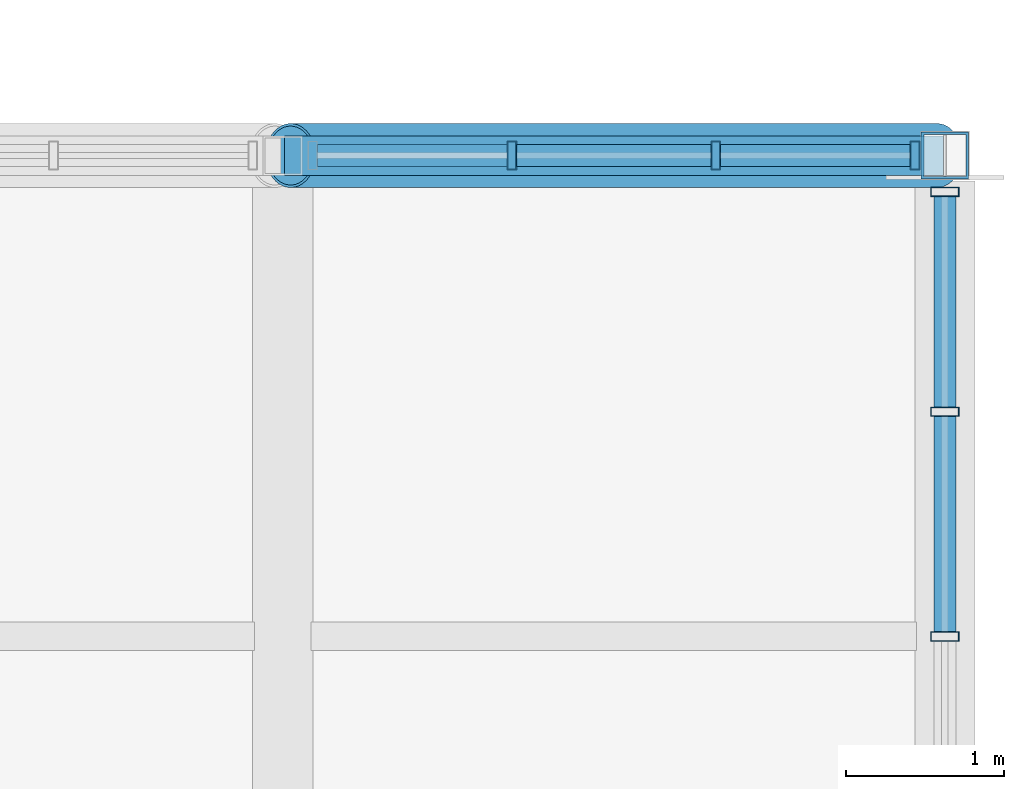
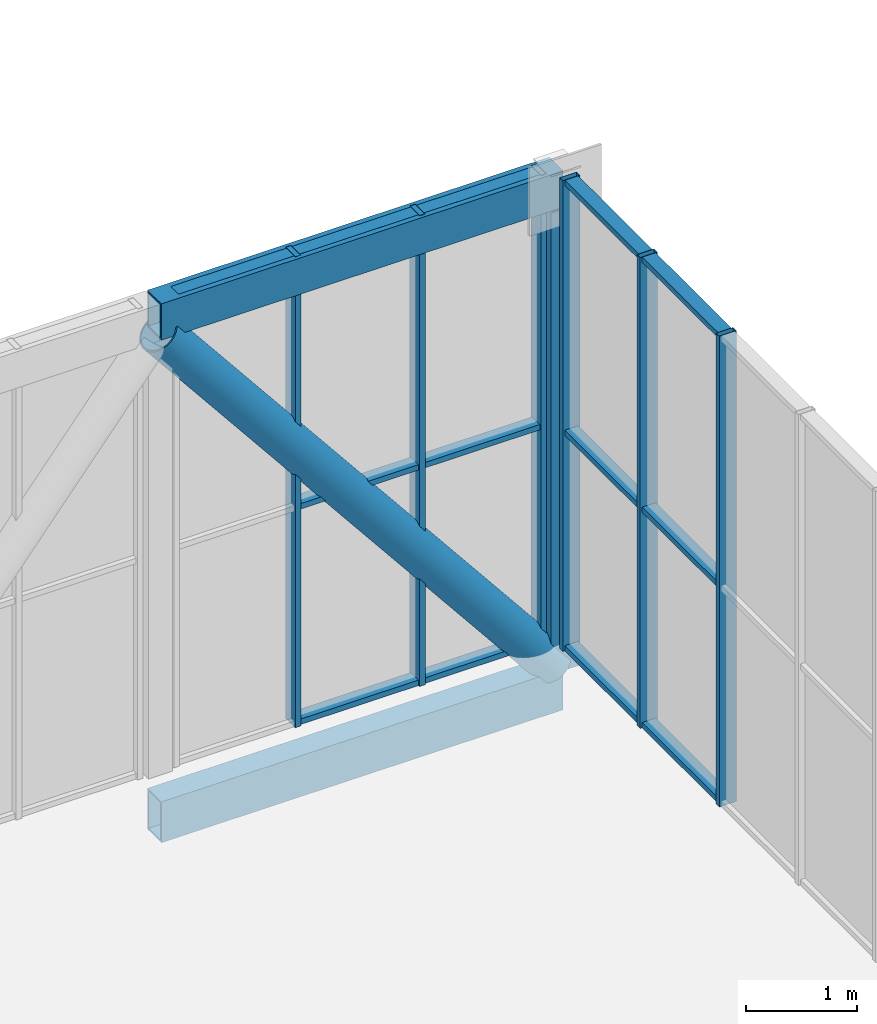
# One storey, part 42 of 58: 23 members, 2 elements without a shape of their own.
"""IFC4 building model written with IfcOpenShell, lengths in metres."""

from ifc_helpers import new_model, si_unit, direction, frame, origin, origin_2d, place, context, subcontext, project, spatial, hollow_rectangle, hollow_circle, extrude, material, material_profile, profile_set, type_object, element, aggregate, save


model = new_model("IFC4")

# Units and contexts
model_context = context("Model", 3, precision=1e-05, world=origin(), true_north=direction((0.0, 1.0)))
body_context = subcontext(model_context, "Body", "Model", "MODEL_VIEW")
ifc_project = project(units=[si_unit("LENGTHUNIT", "METRE"), si_unit("AREAUNIT", "SQUARE_METRE"), si_unit("VOLUMEUNIT", "CUBIC_METRE"), si_unit("PLANEANGLEUNIT", "RADIAN"), si_unit("MASSUNIT", "GRAM", prefix="KILO")], contexts=[model_context])

# Site, building, storey
site_placement = place(None, origin())
site = spatial("IfcSite", under=ifc_project, at=site_placement, CompositionType="ELEMENT")
building_placement = place(site_placement, origin())
building = spatial("IfcBuilding", under=site, at=building_placement, Name="Khurvash Pelagic Aquarium", CompositionType="ELEMENT")
storey_placement = place(building_placement, frame((0.0, 0.0, 24.60009765625)))
storey = spatial("IfcBuildingStorey", under=building, at=storey_placement, Name="L05", CompositionType="ELEMENT", Elevation=24.60009765625)

# Curtain wall, members
ifc_material_1 = material(Name="Anodised aluminium and low-E laminated glass", Category="aluminium")
curtain_wall_type_1 = type_object("IfcCurtainWallType", Name="CW-01", PredefinedType="USERDEFINED", material=ifc_material_1)
curtain_wall_1_placement = place(storey_placement, origin())
curtain_wall_1 = element("IfcCurtainWall", 1, at=curtain_wall_1_placement, inside=storey, type_object=curtain_wall_type_1, Name="L05 North Sky-Bar Unitised Curtain Wall CW-01 P26", ObjectType="UNITISED CURTAIN WALL", PredefinedType="USERDEFINED")
ifc_material_2 = material(Name="Extruded aluminium AW-6063-T6", Category="aluminium")
ifc_material_profile_1 = material_profile(ifc_material_2, hollow_rectangle(XDim=0.06005859375, YDim=0.179931640625, WallThickness=0.00390625, at=origin_2d()), Name="CWM60X180X4")
ifc_profile_set_1 = profile_set([ifc_material_profile_1], Name="Extruded aluminium AW-6063-T6")
member_type_1 = type_object("IfcMemberType", Name="CM-01", PredefinedType="MULLION", material=ifc_profile_set_1)
member_1_placement = place(storey_placement, frame((119.05322265625, 29.75, 0.0), z_axis=(0.0, 0.0, 1.0), x_axis=(1.0, 0.0, 0.0)))
member_1 = element("IfcMember", 2, at=member_1_placement, type_object=member_type_1, Name="CW-01 mullion 2", PredefinedType="MULLION", context=body_context, shape_type="SweptSolid", body=[
    extrude(hollow_rectangle(XDim=0.06005859375, YDim=0.179931640625, WallThickness=0.00390625, at=origin_2d()), origin(), (0.0, 0.0, 1.0), 5.179931640625),
])
member_2_placement = place(storey_placement, frame((120.3466796875, 29.75, 0.0), z_axis=(0.0, 0.0, 1.0), x_axis=(1.0, 0.0, 0.0)))
member_2 = element("IfcMember", 3, at=member_2_placement, type_object=member_type_1, Name="CW-01 mullion 3", PredefinedType="MULLION", context=body_context, shape_type="SweptSolid", body=[
    extrude(hollow_rectangle(XDim=0.06005859375, YDim=0.179931640625, WallThickness=0.00390625, at=origin_2d()), origin(), (0.0, 0.0, 1.0), 5.179931640625),
])
member_3_placement = place(storey_placement, frame((121.610107421875, 29.75, 0.0), z_axis=(0.0, 0.0, 1.0), x_axis=(1.0, 0.0, 0.0)))
member_3 = element("IfcMember", 4, at=member_3_placement, type_object=member_type_1, Name="CW-01 mullion 4", PredefinedType="MULLION", context=body_context, shape_type="SweptSolid", body=[
    extrude(hollow_rectangle(XDim=0.06005859375, YDim=0.179931640625, WallThickness=0.00390625, at=origin_2d()), origin(), (0.0, 0.0, 1.0), 5.179931640625),
])

curtain_wall_type_2 = type_object("IfcCurtainWallType", Name="CW-04", PredefinedType="USERDEFINED", material=ifc_material_1)
curtain_wall_2_placement = place(storey_placement, origin())
curtain_wall_2 = element("IfcCurtainWall", 5, at=curtain_wall_2_placement, inside=storey, type_object=curtain_wall_type_2, Name="L05 East Cantilever Overlook Curtain Wall CW-04", ObjectType="UNITISED CURTAIN WALL", PredefinedType="USERDEFINED")
member_4_placement = place(storey_placement, frame((121.800048828125, 26.699951171875, 0.0), z_axis=(0.0, 0.0, 1.0), x_axis=(0.0, 1.0, 0.0)))
member_4 = element("IfcMember", 6, at=member_4_placement, type_object=member_type_1, Name="CW-04 mullion 3", PredefinedType="MULLION", context=body_context, shape_type="SweptSolid", body=[
    extrude(hollow_rectangle(XDim=0.06005859375, YDim=0.179931640625, WallThickness=0.00390625, at=origin_2d()), origin(), (0.0, 0.0, 1.0), 5.179931640625),
])
member_5_placement = place(storey_placement, frame((121.800048828125, 28.125, 0.0), z_axis=(0.0, 0.0, 1.0), x_axis=(0.0, 1.0, 0.0)))
member_5 = element("IfcMember", 7, at=member_5_placement, type_object=member_type_1, Name="CW-04 mullion 4", PredefinedType="MULLION", context=body_context, shape_type="SweptSolid", body=[
    extrude(hollow_rectangle(XDim=0.06005859375, YDim=0.179931640625, WallThickness=0.00390625, at=origin_2d()), origin(), (0.0, 0.0, 1.0), 5.179931640625),
])
member_6_placement = place(storey_placement, frame((121.800048828125, 29.52001953125, 0.0), z_axis=(0.0, 0.0, 1.0), x_axis=(0.0, 1.0, 0.0)))
member_6 = element("IfcMember", 8, at=member_6_placement, type_object=member_type_1, Name="CW-04 mullion 5", PredefinedType="MULLION", context=body_context, shape_type="SweptSolid", body=[
    extrude(hollow_rectangle(XDim=0.06005859375, YDim=0.179931640625, WallThickness=0.00390625, at=origin_2d()), origin(), (0.0, 0.0, 1.0), 5.179931640625),
])

# Member
ifc_material_profile_2 = material_profile(ifc_material_2, hollow_rectangle(XDim=0.139892578125, YDim=0.06005859375, WallThickness=0.00390625, at=origin_2d()), Name="CWT140X60X4")
ifc_profile_set_2 = profile_set([ifc_material_profile_2], Name="Extruded aluminium AW-6063-T6")
member_type_2 = type_object("IfcMemberType", Name="CT-01", PredefinedType="USERDEFINED", material=ifc_profile_set_2)
member_7_placement = place(storey_placement, frame((117.820068359375, 29.75, 5.14990234375), z_axis=(1.0, 0.0, 0.0), x_axis=(0.0, 1.0, 0.0)))
member_7 = element("IfcMember", 9, at=member_7_placement, type_object=member_type_2, Name="CW-01 transom 1.3", ObjectType="TRANSOM", PredefinedType="USERDEFINED", context=body_context, shape_type="SweptSolid", body=[
    extrude(hollow_rectangle(XDim=0.139892578125, YDim=0.06005859375, WallThickness=0.00390625, at=origin_2d()), origin(), (0.0, 0.0, 1.0), 1.203369140625),
])

member_8_placement = place(storey_placement, frame((119.083251953125, 29.75, 0.02978515625), z_axis=(1.0, 0.0, 0.0), x_axis=(0.0, 1.0, 0.0)))
member_8 = element("IfcMember", 10, at=member_8_placement, type_object=member_type_2, Name="CW-01 transom 2.1", ObjectType="TRANSOM", PredefinedType="USERDEFINED", context=body_context, shape_type="SweptSolid", body=[
    extrude(hollow_rectangle(XDim=0.139892578125, YDim=0.06005859375, WallThickness=0.00390625, at=origin_2d()), origin(), (0.0, 0.0, 1.0), 1.2333984375),
])

member_9_placement = place(storey_placement, frame((119.083251953125, 29.75, 2.39990234375), z_axis=(1.0, 0.0, 0.0), x_axis=(0.0, 1.0, 0.0)))
member_9 = element("IfcMember", 11, at=member_9_placement, type_object=member_type_2, Name="CW-01 transom 2.2", ObjectType="TRANSOM", PredefinedType="USERDEFINED", context=body_context, shape_type="SweptSolid", body=[
    extrude(hollow_rectangle(XDim=0.139892578125, YDim=0.06005859375, WallThickness=0.00390625, at=origin_2d()), origin(), (0.0, 0.0, 1.0), 1.2333984375),
])

member_10_placement = place(storey_placement, frame((119.083251953125, 29.75, 5.14990234375), z_axis=(1.0, 0.0, 0.0), x_axis=(0.0, 1.0, 0.0)))
member_10 = element("IfcMember", 12, at=member_10_placement, type_object=member_type_2, Name="CW-01 transom 2.3", ObjectType="TRANSOM", PredefinedType="USERDEFINED", context=body_context, shape_type="SweptSolid", body=[
    extrude(hollow_rectangle(XDim=0.139892578125, YDim=0.06005859375, WallThickness=0.00390625, at=origin_2d()), origin(), (0.0, 0.0, 1.0), 1.2333984375),
])

member_11_placement = place(storey_placement, frame((120.376708984375, 29.75, 0.02978515625), z_axis=(1.0, 0.0, 0.0), x_axis=(0.0, 1.0, 0.0)))
member_11 = element("IfcMember", 13, at=member_11_placement, type_object=member_type_2, Name="CW-01 transom 3.1", ObjectType="TRANSOM", PredefinedType="USERDEFINED", context=body_context, shape_type="SweptSolid", body=[
    extrude(hollow_rectangle(XDim=0.139892578125, YDim=0.06005859375, WallThickness=0.00390625, at=origin_2d()), origin(), (0.0, 0.0, 1.0), 1.203369140625),
])

member_12_placement = place(storey_placement, frame((120.376708984375, 29.75, 2.39990234375), z_axis=(1.0, 0.0, 0.0), x_axis=(0.0, 1.0, 0.0)))
member_12 = element("IfcMember", 14, at=member_12_placement, type_object=member_type_2, Name="CW-01 transom 3.2", ObjectType="TRANSOM", PredefinedType="USERDEFINED", context=body_context, shape_type="SweptSolid", body=[
    extrude(hollow_rectangle(XDim=0.139892578125, YDim=0.06005859375, WallThickness=0.00390625, at=origin_2d()), origin(), (0.0, 0.0, 1.0), 1.203369140625),
])

member_13_placement = place(storey_placement, frame((120.376708984375, 29.75, 5.14990234375), z_axis=(1.0, 0.0, 0.0), x_axis=(0.0, 1.0, 0.0)))
member_13 = element("IfcMember", 15, at=member_13_placement, type_object=member_type_2, Name="CW-01 transom 3.3", ObjectType="TRANSOM", PredefinedType="USERDEFINED", context=body_context, shape_type="SweptSolid", body=[
    extrude(hollow_rectangle(XDim=0.139892578125, YDim=0.06005859375, WallThickness=0.00390625, at=origin_2d()), origin(), (0.0, 0.0, 1.0), 1.203369140625),
])

aggregate(curtain_wall_1, [member_1, member_2, member_3, member_7, member_8, member_9, member_10, member_11, member_12, member_13])

member_14_placement = place(storey_placement, frame((121.800048828125, 26.72998046875, 0.02978515625), z_axis=(0.0, 1.0, 0.0), x_axis=(-1.0, 0.0, 0.0)))
member_14 = element("IfcMember", 16, at=member_14_placement, type_object=member_type_2, Name="CW-04 transom 3.1", ObjectType="TRANSOM", PredefinedType="USERDEFINED", context=body_context, shape_type="SweptSolid", body=[
    extrude(hollow_rectangle(XDim=0.139892578125, YDim=0.06005859375, WallThickness=0.00390625, at=origin_2d()), origin(), (0.0, 0.0, 1.0), 1.364990234375),
])

member_15_placement = place(storey_placement, frame((121.800048828125, 26.72998046875, 2.39990234375), z_axis=(0.0, 1.0, 0.0), x_axis=(-1.0, 0.0, 0.0)))
member_15 = element("IfcMember", 17, at=member_15_placement, type_object=member_type_2, Name="CW-04 transom 3.2", ObjectType="TRANSOM", PredefinedType="USERDEFINED", context=body_context, shape_type="SweptSolid", body=[
    extrude(hollow_rectangle(XDim=0.139892578125, YDim=0.06005859375, WallThickness=0.00390625, at=origin_2d()), origin(), (0.0, 0.0, 1.0), 1.364990234375),
])

member_16_placement = place(storey_placement, frame((121.800048828125, 26.72998046875, 5.14990234375), z_axis=(0.0, 1.0, 0.0), x_axis=(-1.0, 0.0, 0.0)))
member_16 = element("IfcMember", 18, at=member_16_placement, type_object=member_type_2, Name="CW-04 transom 3.3", ObjectType="TRANSOM", PredefinedType="USERDEFINED", context=body_context, shape_type="SweptSolid", body=[
    extrude(hollow_rectangle(XDim=0.139892578125, YDim=0.06005859375, WallThickness=0.00390625, at=origin_2d()), origin(), (0.0, 0.0, 1.0), 1.364990234375),
])

member_17_placement = place(storey_placement, frame((121.800048828125, 28.155029296875, 0.02978515625), z_axis=(0.0, 1.0, 0.0), x_axis=(-1.0, 0.0, 0.0)))
member_17 = element("IfcMember", 19, at=member_17_placement, type_object=member_type_2, Name="CW-04 transom 4.1", ObjectType="TRANSOM", PredefinedType="USERDEFINED", context=body_context, shape_type="SweptSolid", body=[
    extrude(hollow_rectangle(XDim=0.139892578125, YDim=0.06005859375, WallThickness=0.00390625, at=origin_2d()), origin(), (0.0, 0.0, 1.0), 1.3349609375),
])

member_18_placement = place(storey_placement, frame((121.800048828125, 28.155029296875, 2.39990234375), z_axis=(0.0, 1.0, 0.0), x_axis=(-1.0, 0.0, 0.0)))
member_18 = element("IfcMember", 20, at=member_18_placement, type_object=member_type_2, Name="CW-04 transom 4.2", ObjectType="TRANSOM", PredefinedType="USERDEFINED", context=body_context, shape_type="SweptSolid", body=[
    extrude(hollow_rectangle(XDim=0.139892578125, YDim=0.06005859375, WallThickness=0.00390625, at=origin_2d()), origin(), (0.0, 0.0, 1.0), 1.3349609375),
])

member_19_placement = place(storey_placement, frame((121.800048828125, 28.155029296875, 5.14990234375), z_axis=(0.0, 1.0, 0.0), x_axis=(-1.0, 0.0, 0.0)))
member_19 = element("IfcMember", 21, at=member_19_placement, type_object=member_type_2, Name="CW-04 transom 4.3", ObjectType="TRANSOM", PredefinedType="USERDEFINED", context=body_context, shape_type="SweptSolid", body=[
    extrude(hollow_rectangle(XDim=0.139892578125, YDim=0.06005859375, WallThickness=0.00390625, at=origin_2d()), origin(), (0.0, 0.0, 1.0), 1.3349609375),
])

aggregate(curtain_wall_2, [member_4, member_5, member_6, member_14, member_15, member_16, member_17, member_18, member_19])

# Members
ifc_material_3 = material(Name="Steel S355J2", Category="steel")
ifc_material_profile_3 = material_profile(ifc_material_3, hollow_rectangle(XDim=0.25, YDim=0.449951171875, WallThickness=0.02001953125, at=origin_2d()), Name="RHS450X250X20")
ifc_profile_set_3 = profile_set([ifc_material_profile_3], Name="Steel S355J2")
member_type_3 = type_object("IfcMemberType", Name="TC-01", PredefinedType="CHORD", material=ifc_profile_set_3)
member_20_placement = place(storey_placement, frame((117.610107421875, 29.75, -0.525146484375), z_axis=(1.0, 0.0, 0.0), x_axis=(0.0, 1.0, 0.0)))
element("IfcMember", 22, at=member_20_placement, inside=storey, type_object=member_type_3, Name="L05 North Sky-Bar Warren Truss Bottom Chord TC-01 P26", PredefinedType="CHORD", context=body_context, shape_type="SweptSolid", body=[
    extrude(hollow_rectangle(XDim=0.25, YDim=0.449951171875, WallThickness=0.02001953125, at=origin_2d()), origin(), (0.0, 0.0, 1.0), 4.179931640625),
])
ifc_material_profile_4 = material_profile(ifc_material_3, hollow_rectangle(XDim=0.25, YDim=0.39990234375, WallThickness=0.01611328125, at=origin_2d()), Name="RHS400X250X16")
ifc_profile_set_4 = profile_set([ifc_material_profile_4], Name="Steel S355J2")
member_type_4 = type_object("IfcMemberType", Name="TC-02", PredefinedType="CHORD", material=ifc_profile_set_4)
member_21_placement = place(storey_placement, frame((117.610107421875, 29.75, 4.97998046875), z_axis=(1.0, 0.0, 0.0), x_axis=(0.0, 1.0, 0.0)))
element("IfcMember", 23, at=member_21_placement, inside=storey, type_object=member_type_4, Name="L05 North Sky-Bar Warren Truss Top Chord TC-02 P26", PredefinedType="CHORD", context=body_context, shape_type="SweptSolid", body=[
    extrude(hollow_rectangle(XDim=0.25, YDim=0.39990234375, WallThickness=0.01611328125, at=origin_2d()), origin(), (0.0, 0.0, 1.0), 4.179931640625),
])
ifc_material_profile_5 = material_profile(ifc_material_3, hollow_circle(Radius=0.203125, WallThickness=0.01611328125, at=origin_2d()), Name="CHS406X16")
ifc_profile_set_5 = profile_set([ifc_material_profile_5], Name="Steel S355J2")
member_type_5 = type_object("IfcMemberType", Name="TD-01", PredefinedType="BRACE", material=ifc_profile_set_5)
member_22_placement = place(storey_placement, frame((117.64990234375, 29.75, 4.77978515625), z_axis=(0.628073304864, 0.0, -0.778154177343), x_axis=(0.0, 1.0, 0.0)))
element("IfcMember", 24, at=member_22_placement, inside=storey, type_object=member_type_5, Name="L05 North Sky-Bar Warren Truss Diagonal TD-01 P26", PredefinedType="BRACE", context=body_context, shape_type="SweptSolid", body=[
    extrude(hollow_circle(Radius=0.203125, WallThickness=0.01611328125, at=origin_2d()), origin(), (0.0, 0.0, 1.0), 6.528076171875),
])
ifc_material_profile_6 = material_profile(ifc_material_3, hollow_rectangle(XDim=0.300048828125, YDim=0.300048828125, WallThickness=0.01611328125, at=origin_2d()), Name="SHS300X300X16")
ifc_profile_set_6 = profile_set([ifc_material_profile_6], Name="Steel S355J2")
member_type_6 = type_object("IfcMemberType", Name="TV-01", PredefinedType="POST", material=ifc_profile_set_6)
member_23_placement = place(storey_placement, frame((121.800048828125, 29.75, -0.300048828125), z_axis=(0.0, 0.0, 1.0), x_axis=(1.0, 0.0, 0.0)))
element("IfcMember", 25, at=member_23_placement, inside=storey, type_object=member_type_6, Name="L05 North Sky-Bar Truss Post TV-01 N27", PredefinedType="POST", context=body_context, shape_type="SweptSolid", body=[
    extrude(hollow_rectangle(XDim=0.300048828125, YDim=0.300048828125, WallThickness=0.01611328125, at=origin_2d()), origin(), (0.0, 0.0, 1.0), 5.079833984375),
])

save(model, "model.ifc")
